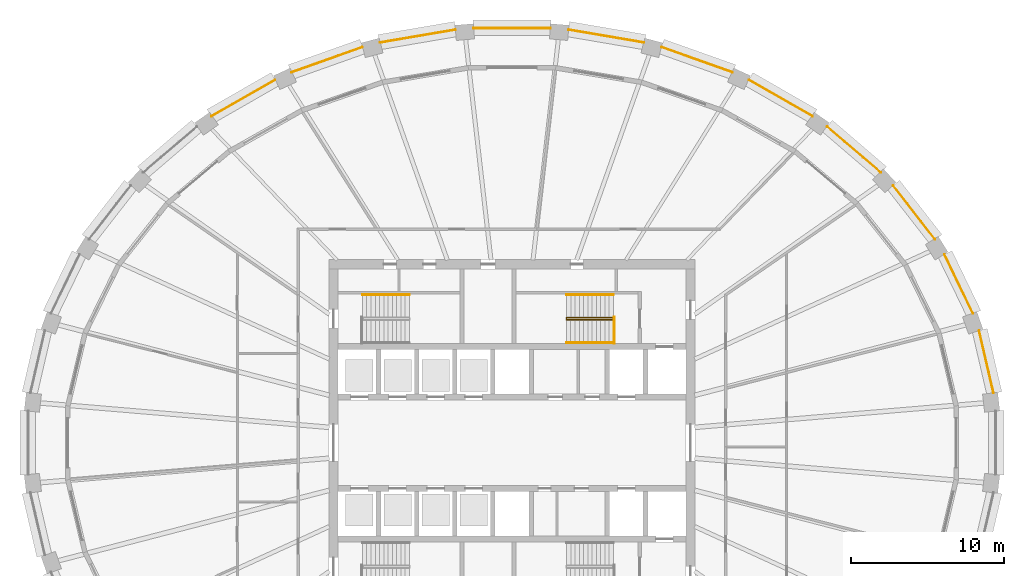
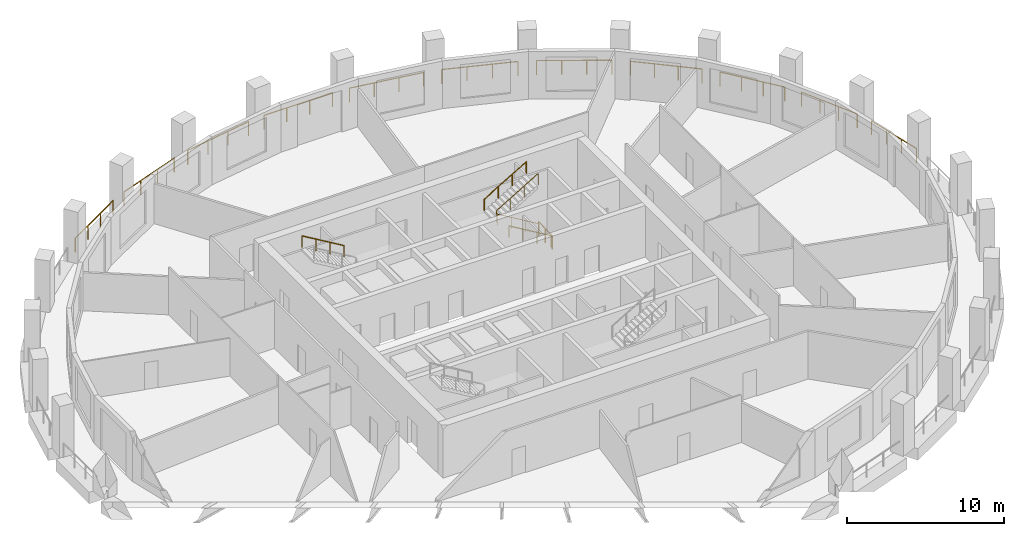
# One storey, part 10 of 11: 16 railings.
"""IFC4 building model written with IfcOpenShell, lengths in metres."""

from ifc_helpers import new_model, si_unit, direction, frame, origin, origin_2d, place, context, subcontext, project, spatial, circle, extrude, material, type_object, element, save


model = new_model("IFC4")

# Units and contexts
model_context = context("Model", 3, precision=1e-05, world=origin(), true_north=direction((0.0, 1.0)))
body_context = subcontext(model_context, "Body", "Model", "MODEL_VIEW")
ifc_project = project(units=[si_unit("LENGTHUNIT", "METRE"), si_unit("AREAUNIT", "SQUARE_METRE"), si_unit("VOLUMEUNIT", "CUBIC_METRE"), si_unit("PLANEANGLEUNIT", "RADIAN"), si_unit("MASSUNIT", "GRAM", prefix="KILO")], contexts=[model_context])

# Site, building, storey
site_placement = place(None, origin())
site = spatial("IfcSite", under=ifc_project, at=site_placement, CompositionType="ELEMENT")
building_placement = place(site_placement, origin())
building = spatial("IfcBuilding", under=site, at=building_placement, Name="Halqa Exchange Tower", CompositionType="ELEMENT")
storey_placement = place(building_placement, frame((0.0, 0.0, 222.89990234375)))
storey = spatial("IfcBuildingStorey", under=building, at=storey_placement, Name="L51", CompositionType="ELEMENT", Elevation=222.89990234375)

# Railings
ifc_material = material(Name="Stainless steel", Category="steel")
railing_type_1 = type_object("IfcRailingType", Name="Guard 1100 stainless steel", PredefinedType="GUARDRAIL", material=ifc_material)
railing_1_placement = place(storey_placement, frame((31.55859375, 3.260009765625, 0.0)))
element("IfcRailing", 1, at=railing_1_placement, inside=storey, type_object=railing_type_1, Name="Loggia guard 1", PredefinedType="GUARDRAIL", context=body_context, shape_type="SweptSolid", body=[
    extrude(circle(Radius=0.02392578125, at=origin_2d()), frame((0.0, 0.0, 1.076171875), z_axis=(-0.226068466012, 0.974111414919, 0.0), x_axis=(-0.974111414919, -0.226068466012, 0.0)), (0.0, 0.0, 1.0), 4.18798828125),
    extrude(circle(Radius=0.02099609375, at=origin_2d()), origin(), (0.0, 0.0, 1.0), 1.052001953125),
    extrude(circle(Radius=0.02099609375, at=origin_2d()), frame((-0.315673828125, 1.35986328125, 0.0)), (0.0, 0.0, 1.0), 1.052001953125),
    extrude(circle(Radius=0.02099609375, at=origin_2d()), frame((-0.631103515625, 2.7197265625, 0.0)), (0.0, 0.0, 1.0), 1.052001953125),
    extrude(circle(Radius=0.02099609375, at=origin_2d()), frame((-0.94677734375, 4.07958984375, 0.0)), (0.0, 0.0, 1.0), 1.052001953125),
])
railing_2_placement = place(storey_placement, frame((30.215087890625, 8.46435546875, 0.0)))
element("IfcRailing", 2, at=railing_2_placement, inside=storey, type_object=railing_type_1, Name="Loggia guard 2", PredefinedType="GUARDRAIL", context=body_context, shape_type="SweptSolid", body=[
    extrude(circle(Radius=0.02392578125, at=origin_2d()), frame((0.0, 0.0, 1.076171875), z_axis=(-0.435087945374, 0.900387960709, 0.0), x_axis=(-0.900387960709, -0.435087945374, 0.0)), (0.0, 0.0, 1.0), 4.291015625),
    extrude(circle(Radius=0.02099609375, at=origin_2d()), origin(), (0.0, 0.0, 1.0), 1.052001953125),
    extrude(circle(Radius=0.02099609375, at=origin_2d()), frame((-0.622314453125, 1.287841796875, 0.0)), (0.0, 0.0, 1.0), 1.052001953125),
    extrude(circle(Radius=0.02099609375, at=origin_2d()), frame((-1.24462890625, 2.57568359375, 0.0)), (0.0, 0.0, 1.0), 1.052001953125),
    extrude(circle(Radius=0.02099609375, at=origin_2d()), frame((-1.866943359375, 3.863525390625, 0.0)), (0.0, 0.0, 1.0), 1.052001953125),
])
railing_3_placement = place(storey_placement, frame((27.71826171875, 13.34130859375, 0.0)))
element("IfcRailing", 3, at=railing_3_placement, inside=storey, type_object=railing_type_1, Name="Loggia guard 3", PredefinedType="GUARDRAIL", context=body_context, shape_type="SweptSolid", body=[
    extrude(circle(Radius=0.02392578125, at=origin_2d()), frame((0.0, 0.0, 1.076171875), z_axis=(-0.614819222514, 0.788668069359, 0.0), x_axis=(-0.788668069359, -0.614819222514, 0.0)), (0.0, 0.0, 1.0), 4.44189453125),
    extrude(circle(Radius=0.02099609375, at=origin_2d()), origin(), (0.0, 0.0, 1.0), 1.052001953125),
    extrude(circle(Radius=0.02099609375, at=origin_2d()), frame((-0.910400390625, 1.167724609375, 0.0)), (0.0, 0.0, 1.0), 1.052001953125),
    extrude(circle(Radius=0.02099609375, at=origin_2d()), frame((-1.820556640625, 2.33544921875, 0.0)), (0.0, 0.0, 1.0), 1.052001953125),
    extrude(circle(Radius=0.02099609375, at=origin_2d()), frame((-2.73095703125, 3.503173828125, 0.0)), (0.0, 0.0, 1.0), 1.052001953125),
])
railing_4_placement = place(storey_placement, frame((24.1630859375, 17.7080078125, 0.0)))
element("IfcRailing", 4, at=railing_4_placement, inside=storey, type_object=railing_type_1, Name="Loggia guard 4", PredefinedType="GUARDRAIL", context=body_context, shape_type="SweptSolid", body=[
    extrude(circle(Radius=0.02392578125, at=origin_2d()), frame((0.0, 0.0, 1.076171875), z_axis=(-0.759252867817, 0.650795730403, 0.0), x_axis=(-0.650795730403, -0.759252867817, 0.0)), (0.0, 0.0, 1.0), 4.614501953125),
    extrude(circle(Radius=0.02099609375, at=origin_2d()), origin(), (0.0, 0.0, 1.0), 1.052001953125),
    extrude(circle(Radius=0.02099609375, at=origin_2d()), frame((-1.16796875, 1.0009765625, 0.0)), (0.0, 0.0, 1.0), 1.052001953125),
    extrude(circle(Radius=0.02099609375, at=origin_2d()), frame((-2.335693359375, 2.002197265625, 0.0)), (0.0, 0.0, 1.0), 1.052001953125),
    extrude(circle(Radius=0.02099609375, at=origin_2d()), frame((-3.503662109375, 3.003173828125, 0.0)), (0.0, 0.0, 1.0), 1.052001953125),
])
railing_5_placement = place(storey_placement, frame((19.683349609375, 21.39990234375, 0.0)))
element("IfcRailing", 5, at=railing_5_placement, inside=storey, type_object=railing_type_1, Name="Loggia guard 5", PredefinedType="GUARDRAIL", context=body_context, shape_type="SweptSolid", body=[
    extrude(circle(Radius=0.02392578125, at=origin_2d()), frame((0.0, 0.0, 1.076171875), z_axis=(-0.867749461597, 0.497001883194, 0.0), x_axis=(-0.497001883194, -0.867749461597, 0.0)), (0.0, 0.0, 1.0), 4.781982421875),
    extrude(circle(Radius=0.02099609375, at=origin_2d()), origin(), (0.0, 0.0, 1.0), 1.052001953125),
    extrude(circle(Radius=0.02099609375, at=origin_2d()), frame((-1.38330078125, 0.792236328125, 0.0)), (0.0, 0.0, 1.0), 1.052001953125),
    extrude(circle(Radius=0.02099609375, at=origin_2d()), frame((-2.766357421875, 1.58447265625, 0.0)), (0.0, 0.0, 1.0), 1.052001953125),
    extrude(circle(Radius=0.02099609375, at=origin_2d()), frame((-4.149658203125, 2.376708984375, 0.0)), (0.0, 0.0, 1.0), 1.052001953125),
])
railing_6_placement = place(storey_placement, frame((14.447509765625, 24.275390625, 0.0)))
element("IfcRailing", 6, at=railing_6_placement, inside=storey, type_object=railing_type_1, Name="Loggia guard 6", PredefinedType="GUARDRAIL", context=body_context, shape_type="SweptSolid", body=[
    extrude(circle(Radius=0.02392578125, at=origin_2d()), frame((0.0, 0.0, 1.076171875), z_axis=(-0.94236215661, 0.33459462905, 0.0), x_axis=(-0.33459462905, -0.94236215661, 0.0)), (0.0, 0.0, 1.0), 4.9208984375),
    extrude(circle(Radius=0.02099609375, at=origin_2d()), origin(), (0.0, 0.0, 1.0), 1.052001953125),
    extrude(circle(Radius=0.02099609375, at=origin_2d()), frame((-1.545654296875, 0.548828125, 0.0)), (0.0, 0.0, 1.0), 1.052001953125),
    extrude(circle(Radius=0.02099609375, at=origin_2d()), frame((-3.091552734375, 1.09765625, 0.0)), (0.0, 0.0, 1.0), 1.052001953125),
    extrude(circle(Radius=0.02099609375, at=origin_2d()), frame((-4.63720703125, 1.646484375, 0.0)), (0.0, 0.0, 1.0), 1.052001953125),
])
railing_7_placement = place(storey_placement, frame((8.6533203125, 26.223388671875, 0.0)))
element("IfcRailing", 7, at=railing_7_placement, inside=storey, type_object=railing_type_1, Name="Loggia guard 7", PredefinedType="GUARDRAIL", context=body_context, shape_type="SweptSolid", body=[
    extrude(circle(Radius=0.02392578125, at=origin_2d()), frame((0.0, 0.0, 1.076171875), z_axis=(-0.985774837826, 0.168071321497, 0.0), x_axis=(-0.168071321497, -0.985774837826, 0.0)), (0.0, 0.0, 1.0), 5.011474609375),
    extrude(circle(Radius=0.02099609375, at=origin_2d()), origin(), (0.0, 0.0, 1.0), 1.052001953125),
    extrude(circle(Radius=0.02099609375, at=origin_2d()), frame((-1.646728515625, 0.28076171875, 0.0)), (0.0, 0.0, 1.0), 1.052001953125),
    extrude(circle(Radius=0.02099609375, at=origin_2d()), frame((-3.29345703125, 0.5615234375, 0.0)), (0.0, 0.0, 1.0), 1.052001953125),
    extrude(circle(Radius=0.02099609375, at=origin_2d()), frame((-4.940185546875, 0.84228515625, 0.0)), (0.0, 0.0, 1.0), 1.052001953125),
])
railing_8_placement = place(storey_placement, frame((2.521484375, 27.16650390625, 0.0)))
element("IfcRailing", 8, at=railing_8_placement, inside=storey, type_object=railing_type_1, Name="Loggia guard 8", PredefinedType="GUARDRAIL", context=body_context, shape_type="SweptSolid", body=[
    extrude(circle(Radius=0.02392578125, at=origin_2d()), frame((0.0, 0.0, 1.076171875), z_axis=(-1.0, 0.0, 0.0), x_axis=(0.0, -1.0, 0.0)), (0.0, 0.0, 1.0), 5.04296875),
    extrude(circle(Radius=0.02099609375, at=origin_2d()), origin(), (0.0, 0.0, 1.0), 1.052001953125),
    extrude(circle(Radius=0.02099609375, at=origin_2d()), frame((-1.680908203125, 0.0, 0.0)), (0.0, 0.0, 1.0), 1.052001953125),
    extrude(circle(Radius=0.02099609375, at=origin_2d()), frame((-3.362060546875, 0.0, 0.0)), (0.0, 0.0, 1.0), 1.052001953125),
    extrude(circle(Radius=0.02099609375, at=origin_2d()), frame((-5.04296875, 0.0, 0.0)), (0.0, 0.0, 1.0), 1.052001953125),
])
railing_9_placement = place(storey_placement, frame((-3.713134765625, 27.065673828125, 0.0)))
element("IfcRailing", 9, at=railing_9_placement, inside=storey, type_object=railing_type_1, Name="Loggia guard 9", PredefinedType="GUARDRAIL", context=body_context, shape_type="SweptSolid", body=[
    extrude(circle(Radius=0.02392578125, at=origin_2d()), frame((0.0, 0.0, 1.076171875), z_axis=(-0.985774837826, -0.168071321497, 0.0), x_axis=(0.168071321497, -0.985774837826, 0.0)), (0.0, 0.0, 1.0), 5.011474609375),
    extrude(circle(Radius=0.02099609375, at=origin_2d()), origin(), (0.0, 0.0, 1.0), 1.052001953125),
    extrude(circle(Radius=0.02099609375, at=origin_2d()), frame((-1.646728515625, -0.28076171875, 0.0)), (0.0, 0.0, 1.0), 1.052001953125),
    extrude(circle(Radius=0.02099609375, at=origin_2d()), frame((-3.29345703125, -0.5615234375, 0.0)), (0.0, 0.0, 1.0), 1.052001953125),
    extrude(circle(Radius=0.02099609375, at=origin_2d()), frame((-4.940185546875, -0.84228515625, 0.0)), (0.0, 0.0, 1.0), 1.052001953125),
])
railing_10_placement = place(storey_placement, frame((-9.810302734375, 25.921875, 0.0)))
element("IfcRailing", 10, at=railing_10_placement, inside=storey, type_object=railing_type_1, Name="Loggia guard 10", PredefinedType="GUARDRAIL", context=body_context, shape_type="SweptSolid", body=[
    extrude(circle(Radius=0.02392578125, at=origin_2d()), frame((0.0, 0.0, 1.076171875), z_axis=(-0.94236215661, -0.33459462905, 0.0), x_axis=(0.33459462905, -0.94236215661, 0.0)), (0.0, 0.0, 1.0), 4.9208984375),
    extrude(circle(Radius=0.02099609375, at=origin_2d()), origin(), (0.0, 0.0, 1.0), 1.052001953125),
    extrude(circle(Radius=0.02099609375, at=origin_2d()), frame((-1.545654296875, -0.548828125, 0.0)), (0.0, 0.0, 1.0), 1.052001953125),
    extrude(circle(Radius=0.02099609375, at=origin_2d()), frame((-3.091552734375, -1.09765625, 0.0)), (0.0, 0.0, 1.0), 1.052001953125),
    extrude(circle(Radius=0.02099609375, at=origin_2d()), frame((-4.63720703125, -1.646484375, 0.0)), (0.0, 0.0, 1.0), 1.052001953125),
])
railing_11_placement = place(storey_placement, frame((-15.53369140625, 23.776611328125, 0.0)))
element("IfcRailing", 11, at=railing_11_placement, inside=storey, type_object=railing_type_1, Name="Loggia guard 11", PredefinedType="GUARDRAIL", context=body_context, shape_type="SweptSolid", body=[
    extrude(circle(Radius=0.02392578125, at=origin_2d()), frame((0.0, 0.0, 1.076171875), z_axis=(-0.867749461597, -0.497001883194, 0.0), x_axis=(0.497001883194, -0.867749461597, 0.0)), (0.0, 0.0, 1.0), 4.781982421875),
    extrude(circle(Radius=0.02099609375, at=origin_2d()), origin(), (0.0, 0.0, 1.0), 1.052001953125),
    extrude(circle(Radius=0.02099609375, at=origin_2d()), frame((-1.38330078125, -0.792236328125, 0.0)), (0.0, 0.0, 1.0), 1.052001953125),
    extrude(circle(Radius=0.02099609375, at=origin_2d()), frame((-2.766357421875, -1.58447265625, 0.0)), (0.0, 0.0, 1.0), 1.052001953125),
    extrude(circle(Radius=0.02099609375, at=origin_2d()), frame((-4.149658203125, -2.376708984375, 0.0)), (0.0, 0.0, 1.0), 1.052001953125),
])
railing_type_2 = type_object("IfcRailingType", Name="Stair handrail 900", PredefinedType="HANDRAIL", material=ifc_material)
railing_12_placement = place(storey_placement, frame((-6.719970703125, 9.699951171875, 2.166748046875)))
element("IfcRailing", 12, at=railing_12_placement, inside=storey, type_object=railing_type_2, Name="Handrail ST1.3", PredefinedType="HANDRAIL", context=body_context, shape_type="SweptSolid", body=[
    extrude(circle(Radius=0.02392578125, at=origin_2d()), frame((0.0, 0.0, 0.8759765625), z_axis=(-0.859308565015, 0.0, 0.511457515432), x_axis=(0.0, -1.0, 0.0)), (0.0, 0.0, 1.0), 3.58447265625),
    extrude(circle(Radius=0.02099609375, at=origin_2d()), origin(), (0.0, 0.0, 1.0), 0.851806640625),
    extrude(circle(Radius=0.02099609375, at=origin_2d()), frame((-1.026611328125, 0.0, 0.611083984375)), (0.0, 0.0, 1.0), 0.851806640625),
    extrude(circle(Radius=0.02099609375, at=origin_2d()), frame((-2.053466796875, 0.0, 1.22216796875)), (0.0, 0.0, 1.0), 0.851806640625),
    extrude(circle(Radius=0.02099609375, at=origin_2d()), frame((-3.080078125, 0.0, 1.833251953125)), (0.0, 0.0, 1.0), 0.851806640625),
])
railing_13_placement = place(storey_placement, frame((6.64990234375, 8.06005859375, 0.166748046875)))
element("IfcRailing", 13, at=railing_13_placement, inside=storey, type_object=railing_type_2, Name="Handrail ST2.1", PredefinedType="HANDRAIL", context=body_context, shape_type="SweptSolid", body=[
    extrude(circle(Radius=0.02392578125, at=origin_2d()), frame((0.0, 0.0, 0.8759765625), z_axis=(-0.859290745958, 0.0, 0.51148745235), x_axis=(0.0, -1.0, 0.0)), (0.0, 0.0, 1.0), 3.584228515625),
    extrude(circle(Radius=0.02392578125, at=origin_2d()), frame((-3.079833984375, 0.0, 2.708984375), z_axis=(0.0, 0.614500226555, 0.788916644243), x_axis=(-1.0, 0.0, 0.0)), (0.0, 0.0, 1.0), 0.21142578125),
    extrude(circle(Radius=0.02392578125, at=origin_2d()), frame((-3.079833984375, 0.1298828125, 2.8759765625), z_axis=(0.859290745958, 0.0, 0.51148745235), x_axis=(0.0, 1.0, 0.0)), (0.0, 0.0, 1.0), 3.584228515625),
    extrude(circle(Radius=0.02099609375, at=origin_2d()), origin(), (0.0, 0.0, 1.0), 0.851806640625),
    extrude(circle(Radius=0.02099609375, at=origin_2d()), frame((-1.026611328125, 0.0, 0.611083984375)), (0.0, 0.0, 1.0), 0.851806640625),
    extrude(circle(Radius=0.02099609375, at=origin_2d()), frame((-2.05322265625, 0.0, 1.22216796875)), (0.0, 0.0, 1.0), 0.851806640625),
    extrude(circle(Radius=0.02099609375, at=origin_2d()), frame((-3.079833984375, 0.0, 1.833251953125)), (0.0, 0.0, 1.0), 0.851806640625),
    extrude(circle(Radius=0.02099609375, at=origin_2d()), frame((-3.079833984375, 0.1298828125, 2.0)), (0.0, 0.0, 1.0), 0.851806640625),
    extrude(circle(Radius=0.02099609375, at=origin_2d()), frame((-2.05322265625, 0.1298828125, 2.611083984375)), (0.0, 0.0, 1.0), 0.851806640625),
    extrude(circle(Radius=0.02099609375, at=origin_2d()), frame((-1.026611328125, 0.1298828125, 3.22216796875)), (0.0, 0.0, 1.0), 0.851806640625),
    extrude(circle(Radius=0.02099609375, at=origin_2d()), frame((0.0, 0.1298828125, 3.833251953125)), (0.0, 0.0, 1.0), 0.851806640625),
])
railing_14_placement = place(storey_placement, frame((6.64990234375, 6.550048828125, 0.166748046875)))
element("IfcRailing", 14, at=railing_14_placement, inside=storey, type_object=railing_type_2, Name="Handrail ST2.2", PredefinedType="HANDRAIL", context=body_context, shape_type="SweptSolid", body=[
    extrude(circle(Radius=0.02392578125, at=origin_2d()), frame((0.0, 0.0, 0.8759765625), z_axis=(-0.859290745958, 0.0, 0.51148745235), x_axis=(0.0, -1.0, 0.0)), (0.0, 0.0, 1.0), 3.584228515625),
    extrude(circle(Radius=0.02099609375, at=origin_2d()), origin(), (0.0, 0.0, 1.0), 0.851806640625),
    extrude(circle(Radius=0.02099609375, at=origin_2d()), frame((-1.026611328125, 0.0, 0.611083984375)), (0.0, 0.0, 1.0), 0.851806640625),
    extrude(circle(Radius=0.02099609375, at=origin_2d()), frame((-2.05322265625, 0.0, 1.22216796875)), (0.0, 0.0, 1.0), 0.851806640625),
    extrude(circle(Radius=0.02099609375, at=origin_2d()), frame((-3.079833984375, 0.0, 1.833251953125)), (0.0, 0.0, 1.0), 0.851806640625),
])
railing_15_placement = place(storey_placement, frame((3.570068359375, 9.699951171875, 2.166748046875)))
element("IfcRailing", 15, at=railing_15_placement, inside=storey, type_object=railing_type_2, Name="Handrail ST2.3", PredefinedType="HANDRAIL", context=body_context, shape_type="SweptSolid", body=[
    extrude(circle(Radius=0.02392578125, at=origin_2d()), frame((0.0, 0.0, 0.8759765625), z_axis=(0.859290745958, 0.0, 0.51148745235), x_axis=(0.0, 1.0, 0.0)), (0.0, 0.0, 1.0), 3.584228515625),
    extrude(circle(Radius=0.02099609375, at=origin_2d()), origin(), (0.0, 0.0, 1.0), 0.851806640625),
    extrude(circle(Radius=0.02099609375, at=origin_2d()), frame((1.026611328125, 0.0, 0.611083984375)), (0.0, 0.0, 1.0), 0.851806640625),
    extrude(circle(Radius=0.02099609375, at=origin_2d()), frame((2.05322265625, 0.0, 1.22216796875)), (0.0, 0.0, 1.0), 0.851806640625),
    extrude(circle(Radius=0.02099609375, at=origin_2d()), frame((3.079833984375, 0.0, 1.833251953125)), (0.0, 0.0, 1.0), 0.851806640625),
])
railing_type_3 = type_object("IfcRailingType", Name="Stair well guard 1100", PredefinedType="GUARDRAIL", material=ifc_material)
railing_16_placement = place(storey_placement, frame((6.699951171875, 6.5, 0.0)))
element("IfcRailing", 16, at=railing_16_placement, inside=storey, type_object=railing_type_3, Name="Guard ST2 well", PredefinedType="GUARDRAIL", context=body_context, shape_type="SweptSolid", body=[
    extrude(circle(Radius=0.02392578125, at=origin_2d()), frame((0.0, 0.0, 1.076171875), z_axis=(0.0, 1.0, 0.0), x_axis=(-1.0, 0.0, 0.0)), (0.0, 0.0, 1.0), 1.75),
    extrude(circle(Radius=0.02099609375, at=origin_2d()), origin(), (0.0, 0.0, 1.0), 1.052001953125),
    extrude(circle(Radius=0.02099609375, at=origin_2d()), frame((0.0, 0.875, 0.0)), (0.0, 0.0, 1.0), 1.052001953125),
    extrude(circle(Radius=0.02099609375, at=origin_2d()), frame((0.0, 1.75, 0.0)), (0.0, 0.0, 1.0), 1.052001953125),
])

save(model, "model.ifc")
